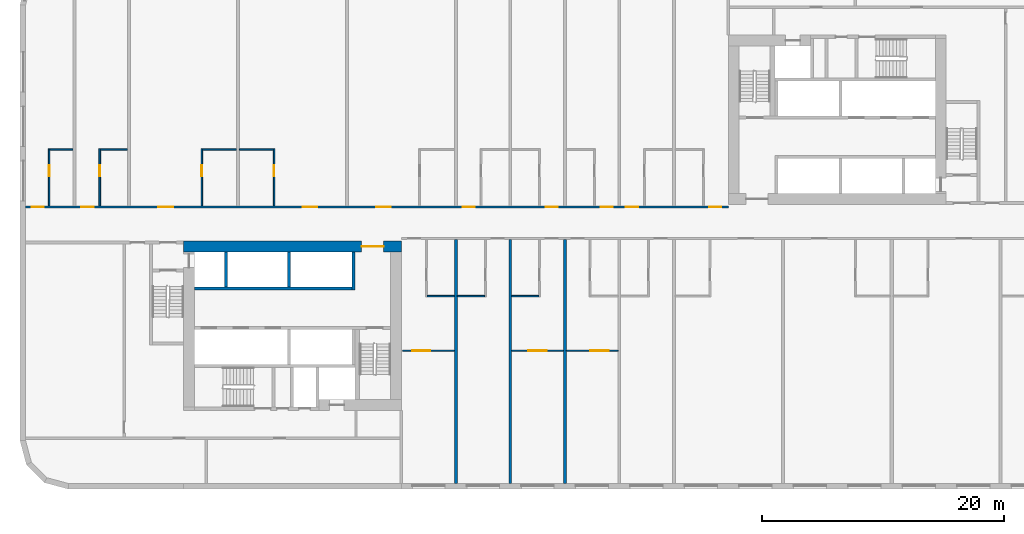
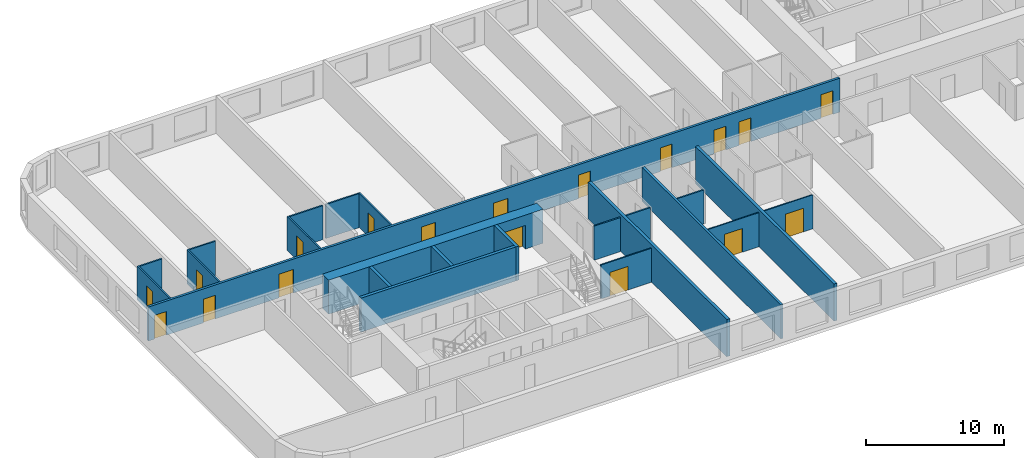
# One storey, part 3 of 12: 23 walls, 18 doors, 18 openings.
"""IFC4 building model written with IfcOpenShell, lengths in metres."""

from ifc_helpers import new_model, si_unit, direction, frame, frame_2d, origin, place, context, subcontext, project, spatial, rectangle, extrude, material, layer, layer_set, type_object, element, fill, save


model = new_model("IFC4")

# Units and contexts
model_context = context("Model", 3, precision=1e-05, world=origin(), true_north=direction((0.0, 1.0)))
body_context = subcontext(model_context, "Body", "Model", "MODEL_VIEW")
ifc_project = project(units=[si_unit("LENGTHUNIT", "METRE"), si_unit("AREAUNIT", "SQUARE_METRE"), si_unit("VOLUMEUNIT", "CUBIC_METRE"), si_unit("PLANEANGLEUNIT", "RADIAN"), si_unit("MASSUNIT", "GRAM", prefix="KILO")], contexts=[model_context])

# Site, building, storey
site_placement = place(None, origin())
site = spatial("IfcSite", under=ifc_project, at=site_placement, CompositionType="ELEMENT")
building_placement = place(site_placement, origin())
building = spatial("IfcBuilding", under=site, at=building_placement, Name="Kajstack Hotel Tower", CompositionType="ELEMENT")
storey_placement = place(building_placement, frame((0.0, 0.0, 93.0)))
storey = spatial("IfcBuildingStorey", under=building, at=storey_placement, Name="L19", CompositionType="ELEMENT", Elevation=93.0)

# Wall, opening, door
ifc_material_1 = material(Name="Concrete C60/75", Category="concrete")
ifc_layer_1 = layer(ifc_material_1, 0.89990234375)
ifc_layer_set_1 = layer_set([ifc_layer_1], Name="Core wall 900")
wall_type_1 = type_object("IfcWallType", Name="Core wall 900", PredefinedType="SHEAR", material=ifc_layer_set_1)
wall_1_placement = place(storey_placement, frame((-31.5, -1.949951171875, 0.0), z_axis=(0.0, 0.0, 1.0), x_axis=(1.0, 0.0, 0.0)))
wall_1 = element("IfcWall", 1, at=wall_1_placement, inside=storey, type_object=wall_type_1, Name="Core wall W RN", PredefinedType="SHEAR", context=body_context, shape_type="SweptSolid", body=[
    extrude(rectangle(XDim=18.0, YDim=0.89990234375, at=frame_2d((9.0, 0.0))), origin(), (0.0, 0.0, 1.0), 3.02001953125),
])
opening_1_placement = place(wall_1_placement, frame((14.72509765625, 0.0, 0.0)))
opening_1 = element("IfcOpeningElement", 2, at=opening_1_placement, cuts=wall_1, Name="Opening 19W06", PredefinedType="OPENING", context=body_context, shape_type="SweptSolid", body=[
    extrude(rectangle(XDim=1.800048828125, YDim=2.10009765625, at=frame_2d((0.89990234375, 1.050048828125))), frame((0.0, 0.4599609375, 0.0), z_axis=(0.0, -1.0, 0.0), x_axis=(1.0, 0.0, 0.0)), (0.0, 0.0, 1.0), 0.919921875),
])
ifc_material_2 = material(Name="Glazed steel frame, fire-rated glass", Category="steel")
door_type_1 = type_object("IfcDoorType", Name="Lobby double door 1800", OperationType="DOUBLE_DOOR_DOUBLE_SWING", PredefinedType="DOOR", material=ifc_material_2)
door_1_placement = place(opening_1_placement, origin())
door_1 = element("IfcDoor", 3, at=door_1_placement, inside=storey, type_object=door_type_1, Name="Door 19W06", OperationType="DOUBLE_DOOR_DOUBLE_SWING", OverallHeight=2.10009765625, OverallWidth=1.800048828125, PredefinedType="DOOR", context=body_context, shape_type="SweptSolid", body=[
    extrude(rectangle(XDim=1.800048828125, YDim=2.10009765625, at=frame_2d((0.89990234375, 1.050048828125))), frame((0.0, 0.02490234375, 0.0), z_axis=(0.0, -1.0, 0.0), x_axis=(1.0, 0.0, 0.0)), (0.0, 0.0, 1.0), 0.050048828125),
])
fill(opening_1, door_1)

# Wall, openings, doors
ifc_material_3 = material(Name="Gypsum board on steel studs, mineral wool", Category="steel")
ifc_layer_2 = layer(ifc_material_3, 0.199951171875)
ifc_layer_set_2 = layer_set([ifc_layer_2], Name="Corridor wall 200")
wall_type_2 = type_object("IfcWallType", Name="Corridor wall 200", PredefinedType="PARTITIONING", material=ifc_layer_set_2)
wall_2_placement = place(storey_placement, frame((-44.550048828125, 1.300048828125, 0.0), z_axis=(0.0, 0.0, 1.0), x_axis=(1.0, 0.0, 0.0)))
wall_2 = element("IfcWall", 4, at=wall_2_placement, inside=storey, type_object=wall_type_2, Name="G-wall-L19-003", PredefinedType="PARTITIONING", context=body_context, shape_type="SweptSolid", body=[
    extrude(rectangle(XDim=58.050048828125, YDim=0.199951171875, at=frame_2d((29.02490234375, 0.0))), origin(), (0.0, 0.0, 1.0), 3.02001953125),
])
opening_2_placement = place(wall_2_placement, frame((0.52490234375, 0.0, 0.0)))
opening_2 = element("IfcOpeningElement", 5, at=opening_2_placement, cuts=wall_2, Name="Opening 19001", PredefinedType="OPENING", context=body_context, shape_type="SweptSolid", body=[
    extrude(rectangle(XDim=1.0, YDim=2.10009765625, at=frame_2d((0.5, 1.050048828125))), frame((0.0, 0.10986328125, 0.0), z_axis=(0.0, -1.0, 0.0), x_axis=(1.0, 0.0, 0.0)), (0.0, 0.0, 1.0), 0.219970703125),
])
opening_3_placement = place(wall_2_placement, frame((4.625, 0.0, 0.0)))
opening_3 = element("IfcOpeningElement", 6, at=opening_3_placement, cuts=wall_2, Name="Opening 19003", PredefinedType="OPENING", context=body_context, shape_type="SweptSolid", body=[
    extrude(rectangle(XDim=1.0, YDim=2.10009765625, at=frame_2d((0.5, 1.050048828125))), frame((0.0, 0.10986328125, 0.0), z_axis=(0.0, -1.0, 0.0), x_axis=(1.0, 0.0, 0.0)), (0.0, 0.0, 1.0), 0.219970703125),
])
opening_4_placement = place(wall_2_placement, frame((10.987060546875, 0.0, 0.0)))
opening_4 = element("IfcOpeningElement", 7, at=opening_4_placement, cuts=wall_2, Name="Opening 19005", PredefinedType="OPENING", context=body_context, shape_type="SweptSolid", body=[
    extrude(rectangle(XDim=1.199951171875, YDim=2.10009765625, at=frame_2d((0.60009765625, 1.050048828125))), frame((0.0, 0.10986328125, 0.0), z_axis=(0.0, -1.0, 0.0), x_axis=(1.0, 0.0, 0.0)), (0.0, 0.0, 1.0), 0.219970703125),
])
opening_5_placement = place(wall_2_placement, frame((22.912109375, 0.0, 0.0)))
opening_5 = element("IfcOpeningElement", 8, at=opening_5_placement, cuts=wall_2, Name="Opening 19007", PredefinedType="OPENING", context=body_context, shape_type="SweptSolid", body=[
    extrude(rectangle(XDim=1.199951171875, YDim=2.10009765625, at=frame_2d((0.60009765625, 1.050048828125))), frame((0.0, 0.10986328125, 0.0), z_axis=(0.0, -1.0, 0.0), x_axis=(1.0, 0.0, 0.0)), (0.0, 0.0, 1.0), 0.219970703125),
])
opening_6_placement = place(wall_2_placement, frame((28.987060546875, 0.0, 0.0)))
opening_6 = element("IfcOpeningElement", 9, at=opening_6_placement, cuts=wall_2, Name="Opening 19009", PredefinedType="OPENING", context=body_context, shape_type="SweptSolid", body=[
    extrude(rectangle(XDim=1.199951171875, YDim=2.10009765625, at=frame_2d((0.60009765625, 1.050048828125))), frame((0.0, 0.10986328125, 0.0), z_axis=(0.0, -1.0, 0.0), x_axis=(1.0, 0.0, 0.0)), (0.0, 0.0, 1.0), 0.219970703125),
])
opening_7_placement = place(wall_2_placement, frame((36.125, 0.0, 0.0)))
opening_7 = element("IfcOpeningElement", 10, at=opening_7_placement, cuts=wall_2, Name="Opening 19011", PredefinedType="OPENING", context=body_context, shape_type="SweptSolid", body=[
    extrude(rectangle(XDim=1.0, YDim=2.10009765625, at=frame_2d((0.5, 1.050048828125))), frame((0.0, 0.10986328125, 0.0), z_axis=(0.0, -1.0, 0.0), x_axis=(1.0, 0.0, 0.0)), (0.0, 0.0, 1.0), 0.219970703125),
])
opening_8_placement = place(wall_2_placement, frame((42.97509765625, 0.0, 0.0)))
opening_8 = element("IfcOpeningElement", 11, at=opening_8_placement, cuts=wall_2, Name="Opening 19013", PredefinedType="OPENING", context=body_context, shape_type="SweptSolid", body=[
    extrude(rectangle(XDim=1.0, YDim=2.10009765625, at=frame_2d((0.5, 1.050048828125))), frame((0.0, 0.10986328125, 0.0), z_axis=(0.0, -1.0, 0.0), x_axis=(1.0, 0.0, 0.0)), (0.0, 0.0, 1.0), 0.219970703125),
])
opening_9_placement = place(wall_2_placement, frame((47.5, 0.0, 0.0)))
opening_9 = element("IfcOpeningElement", 12, at=opening_9_placement, cuts=wall_2, Name="Opening 19015", PredefinedType="OPENING", context=body_context, shape_type="SweptSolid", body=[
    extrude(rectangle(XDim=1.0, YDim=2.10009765625, at=frame_2d((0.5, 1.050048828125))), frame((0.0, 0.10986328125, 0.0), z_axis=(0.0, -1.0, 0.0), x_axis=(1.0, 0.0, 0.0)), (0.0, 0.0, 1.0), 0.219970703125),
])
opening_10_placement = place(wall_2_placement, frame((49.60009765625, 0.0, 0.0)))
opening_10 = element("IfcOpeningElement", 13, at=opening_10_placement, cuts=wall_2, Name="Opening 19017", PredefinedType="OPENING", context=body_context, shape_type="SweptSolid", body=[
    extrude(rectangle(XDim=1.0, YDim=2.10009765625, at=frame_2d((0.5, 1.050048828125))), frame((0.0, 0.10986328125, 0.0), z_axis=(0.0, -1.0, 0.0), x_axis=(1.0, 0.0, 0.0)), (0.0, 0.0, 1.0), 0.219970703125),
])
opening_11_placement = place(wall_2_placement, frame((56.47509765625, 0.0, 0.0)))
opening_11 = element("IfcOpeningElement", 14, at=opening_11_placement, cuts=wall_2, Name="Opening 19019", PredefinedType="OPENING", context=body_context, shape_type="SweptSolid", body=[
    extrude(rectangle(XDim=1.0, YDim=2.10009765625, at=frame_2d((0.5, 1.050048828125))), frame((0.0, 0.10986328125, 0.0), z_axis=(0.0, -1.0, 0.0), x_axis=(1.0, 0.0, 0.0)), (0.0, 0.0, 1.0), 0.219970703125),
])
ifc_material_4 = material(Name="Oak veneer on timber core, fire-rated leaf", Category="wood")
door_type_2 = type_object("IfcDoorType", Name="Flat entrance door 1000", OperationType="SINGLE_SWING_LEFT", PredefinedType="DOOR", material=ifc_material_4)
door_2_placement = place(opening_2_placement, origin())
door_2 = element("IfcDoor", 15, at=door_2_placement, inside=storey, type_object=door_type_2, Name="G-door-L19-01", OperationType="SINGLE_SWING_RIGHT", OverallHeight=2.10009765625, OverallWidth=1.0, PredefinedType="DOOR", context=body_context, shape_type="SweptSolid", body=[
    extrude(rectangle(XDim=1.0, YDim=2.10009765625, at=frame_2d((0.5, 1.050048828125))), frame((0.0, 0.02490234375, 0.0), z_axis=(0.0, -1.0, 0.0), x_axis=(1.0, 0.0, 0.0)), (0.0, 0.0, 1.0), 0.050048828125),
])
fill(opening_2, door_2)
door_3_placement = place(opening_3_placement, origin())
door_3 = element("IfcDoor", 16, at=door_3_placement, inside=storey, type_object=door_type_2, Name="G-door-L19-03", OperationType="SINGLE_SWING_RIGHT", OverallHeight=2.10009765625, OverallWidth=1.0, PredefinedType="DOOR", context=body_context, shape_type="SweptSolid", body=[
    extrude(rectangle(XDim=1.0, YDim=2.10009765625, at=frame_2d((0.5, 1.050048828125))), frame((0.0, 0.02490234375, 0.0), z_axis=(0.0, -1.0, 0.0), x_axis=(1.0, 0.0, 0.0)), (0.0, 0.0, 1.0), 0.050048828125),
])
fill(opening_3, door_3)
door_4_placement = place(opening_7_placement, origin())
door_4 = element("IfcDoor", 17, at=door_4_placement, inside=storey, type_object=door_type_2, Name="G-door-L19-11", OperationType="SINGLE_SWING_RIGHT", OverallHeight=2.10009765625, OverallWidth=1.0, PredefinedType="DOOR", context=body_context, shape_type="SweptSolid", body=[
    extrude(rectangle(XDim=1.0, YDim=2.10009765625, at=frame_2d((0.5, 1.050048828125))), frame((0.0, 0.02490234375, 0.0), z_axis=(0.0, -1.0, 0.0), x_axis=(1.0, 0.0, 0.0)), (0.0, 0.0, 1.0), 0.050048828125),
])
fill(opening_7, door_4)
door_5_placement = place(opening_8_placement, origin())
door_5 = element("IfcDoor", 18, at=door_5_placement, inside=storey, type_object=door_type_2, Name="G-door-L19-13", OperationType="SINGLE_SWING_LEFT", OverallHeight=2.10009765625, OverallWidth=1.0, PredefinedType="DOOR", context=body_context, shape_type="SweptSolid", body=[
    extrude(rectangle(XDim=1.0, YDim=2.10009765625, at=frame_2d((0.5, 1.050048828125))), frame((0.0, 0.02490234375, 0.0), z_axis=(0.0, -1.0, 0.0), x_axis=(1.0, 0.0, 0.0)), (0.0, 0.0, 1.0), 0.050048828125),
])
fill(opening_8, door_5)
door_6_placement = place(opening_9_placement, origin())
door_6 = element("IfcDoor", 19, at=door_6_placement, inside=storey, type_object=door_type_2, Name="G-door-L19-15", OperationType="SINGLE_SWING_RIGHT", OverallHeight=2.10009765625, OverallWidth=1.0, PredefinedType="DOOR", context=body_context, shape_type="SweptSolid", body=[
    extrude(rectangle(XDim=1.0, YDim=2.10009765625, at=frame_2d((0.5, 1.050048828125))), frame((0.0, 0.02490234375, 0.0), z_axis=(0.0, -1.0, 0.0), x_axis=(1.0, 0.0, 0.0)), (0.0, 0.0, 1.0), 0.050048828125),
])
fill(opening_9, door_6)
door_7_placement = place(opening_10_placement, origin())
door_7 = element("IfcDoor", 20, at=door_7_placement, inside=storey, type_object=door_type_2, Name="G-door-L19-17", OperationType="SINGLE_SWING_LEFT", OverallHeight=2.10009765625, OverallWidth=1.0, PredefinedType="DOOR", context=body_context, shape_type="SweptSolid", body=[
    extrude(rectangle(XDim=1.0, YDim=2.10009765625, at=frame_2d((0.5, 1.050048828125))), frame((0.0, 0.02490234375, 0.0), z_axis=(0.0, -1.0, 0.0), x_axis=(1.0, 0.0, 0.0)), (0.0, 0.0, 1.0), 0.050048828125),
])
fill(opening_10, door_7)
door_8_placement = place(opening_11_placement, origin())
door_8 = element("IfcDoor", 21, at=door_8_placement, inside=storey, type_object=door_type_2, Name="G-door-L19-19", OperationType="SINGLE_SWING_RIGHT", OverallHeight=2.10009765625, OverallWidth=1.0, PredefinedType="DOOR", context=body_context, shape_type="SweptSolid", body=[
    extrude(rectangle(XDim=1.0, YDim=2.10009765625, at=frame_2d((0.5, 1.050048828125))), frame((0.0, 0.02490234375, 0.0), z_axis=(0.0, -1.0, 0.0), x_axis=(1.0, 0.0, 0.0)), (0.0, 0.0, 1.0), 0.050048828125),
])
fill(opening_11, door_8)
door_type_3 = type_object("IfcDoorType", Name="Flat entrance door 1200", OperationType="SINGLE_SWING_LEFT", PredefinedType="DOOR", material=ifc_material_4)
door_9_placement = place(opening_4_placement, origin())
door_9 = element("IfcDoor", 22, at=door_9_placement, inside=storey, type_object=door_type_3, Name="G-door-L19-05", OperationType="SINGLE_SWING_RIGHT", OverallHeight=2.10009765625, OverallWidth=1.199951171875, PredefinedType="DOOR", context=body_context, shape_type="SweptSolid", body=[
    extrude(rectangle(XDim=1.199951171875, YDim=2.10009765625, at=frame_2d((0.60009765625, 1.050048828125))), frame((0.0, 0.02490234375, 0.0), z_axis=(0.0, -1.0, 0.0), x_axis=(1.0, 0.0, 0.0)), (0.0, 0.0, 1.0), 0.050048828125),
])
fill(opening_4, door_9)
door_10_placement = place(opening_5_placement, origin())
door_10 = element("IfcDoor", 23, at=door_10_placement, inside=storey, type_object=door_type_3, Name="G-door-L19-07", OperationType="SINGLE_SWING_LEFT", OverallHeight=2.10009765625, OverallWidth=1.199951171875, PredefinedType="DOOR", context=body_context, shape_type="SweptSolid", body=[
    extrude(rectangle(XDim=1.199951171875, YDim=2.10009765625, at=frame_2d((0.60009765625, 1.050048828125))), frame((0.0, 0.02490234375, 0.0), z_axis=(0.0, -1.0, 0.0), x_axis=(1.0, 0.0, 0.0)), (0.0, 0.0, 1.0), 0.050048828125),
])
fill(opening_5, door_10)
door_11_placement = place(opening_6_placement, origin())
door_11 = element("IfcDoor", 24, at=door_11_placement, inside=storey, type_object=door_type_3, Name="G-door-L19-09", OperationType="SINGLE_SWING_LEFT", OverallHeight=2.10009765625, OverallWidth=1.199951171875, PredefinedType="DOOR", context=body_context, shape_type="SweptSolid", body=[
    extrude(rectangle(XDim=1.199951171875, YDim=2.10009765625, at=frame_2d((0.60009765625, 1.050048828125))), frame((0.0, 0.02490234375, 0.0), z_axis=(0.0, -1.0, 0.0), x_axis=(1.0, 0.0, 0.0)), (0.0, 0.0, 1.0), 0.050048828125),
])
fill(opening_6, door_11)

# Wall
ifc_material_5 = material(Name="Twin-frame gypsum board on steel studs, mineral wool", Category="steel")
ifc_layer_3 = layer(ifc_material_5, 0.199951171875)
ifc_layer_set_3 = layer_set([ifc_layer_3], Name="Demising wall 200")
wall_type_3 = type_object("IfcWallType", Name="Demising wall 200", PredefinedType="PARTITIONING", material=ifc_layer_set_3)
wall_3_placement = place(storey_placement, frame((-4.5, -21.550048828125, 0.0), z_axis=(0.0, 0.0, 1.0), x_axis=(0.0, 1.0, 0.0)))
element("IfcWall", 25, at=wall_3_placement, inside=storey, type_object=wall_type_3, Name="G-wall-L19-030", PredefinedType="PARTITIONING", context=body_context, shape_type="SweptSolid", body=[
    extrude(rectangle(XDim=20.150146484375, YDim=0.199951171875, at=frame_2d((10.0751953125, 0.0))), origin(), (0.0, 0.0, 1.0), 3.02001953125),
])

# Wall, opening, door
ifc_material_6 = material(Name="Gypsum board and tiled backer on steel studs", Category="steel")
ifc_layer_4 = layer(ifc_material_6, 0.125)
ifc_layer_set_4 = layer_set([ifc_layer_4], Name="En-suite wall 125")
wall_type_4 = type_object("IfcWallType", Name="En-suite wall 125", PredefinedType="PARTITIONING", material=ifc_layer_set_4)
wall_4_placement = place(storey_placement, frame((-42.5869140625, 1.39990234375, 0.0), z_axis=(0.0, 0.0, 1.0), x_axis=(0.0, 1.0, 0.0)))
wall_4 = element("IfcWall", 26, at=wall_4_placement, inside=storey, type_object=wall_type_4, Name="G-wall-L19-004", PredefinedType="PARTITIONING", context=body_context, shape_type="SweptSolid", body=[
    extrude(rectangle(XDim=4.72509765625, YDim=0.125, at=frame_2d((2.362548828125, 0.0))), origin(), (0.0, 0.0, 1.0), 3.02001953125),
])
opening_12_placement = place(wall_4_placement, frame((2.449951171875, 0.0, 0.0)))
opening_12 = element("IfcOpeningElement", 27, at=opening_12_placement, cuts=wall_4, Name="Opening 19002", PredefinedType="OPENING", context=body_context, shape_type="SweptSolid", body=[
    extrude(rectangle(XDim=0.89990234375, YDim=2.10009765625, at=frame_2d((0.449951171875, 1.050048828125))), frame((0.0, 0.072509765625, 0.0), z_axis=(0.0, -1.0, 0.0), x_axis=(1.0, 0.0, 0.0)), (0.0, 0.0, 1.0), 0.14501953125),
])
ifc_material_7 = material(Name="Painted timber door leaf", Category="wood")
door_type_4 = type_object("IfcDoorType", Name="Room door 900", OperationType="SINGLE_SWING_LEFT", PredefinedType="DOOR", material=ifc_material_7)
door_12_placement = place(opening_12_placement, origin())
door_12 = element("IfcDoor", 28, at=door_12_placement, inside=storey, type_object=door_type_4, Name="G-door-L19-02", OperationType="SINGLE_SWING_LEFT", OverallHeight=2.10009765625, OverallWidth=0.89990234375, PredefinedType="DOOR", context=body_context, shape_type="SweptSolid", body=[
    extrude(rectangle(XDim=0.89990234375, YDim=2.10009765625, at=frame_2d((0.449951171875, 1.050048828125))), frame((0.0, 0.02490234375, 0.0), z_axis=(0.0, -1.0, 0.0), x_axis=(1.0, 0.0, 0.0)), (0.0, 0.0, 1.0), 0.050048828125),
])
fill(opening_12, door_12)

# Wall
wall_5_placement = place(storey_placement, frame((-42.52490234375, 6.06201171875, 0.0), z_axis=(0.0, 0.0, 1.0), x_axis=(1.0, 0.0, 0.0)))
element("IfcWall", 29, at=wall_5_placement, inside=storey, type_object=wall_type_4, Name="G-wall-L19-005", PredefinedType="PARTITIONING", context=body_context, shape_type="SweptSolid", body=[
    extrude(rectangle(XDim=1.89990234375, YDim=0.125, at=frame_2d((0.949951171875, 0.0))), origin(), (0.0, 0.0, 1.0), 3.02001953125),
])

# Wall, opening, door
wall_6_placement = place(storey_placement, frame((-38.4130859375, 1.39990234375, 0.0), z_axis=(0.0, 0.0, 1.0), x_axis=(0.0, 1.0, 0.0)))
wall_6 = element("IfcWall", 30, at=wall_6_placement, inside=storey, type_object=wall_type_4, Name="G-wall-L19-006", PredefinedType="PARTITIONING", context=body_context, shape_type="SweptSolid", body=[
    extrude(rectangle(XDim=4.72509765625, YDim=0.125, at=frame_2d((2.362548828125, 0.0))), origin(), (0.0, 0.0, 1.0), 3.02001953125),
])
opening_13_placement = place(wall_6_placement, frame((2.449951171875, 0.0, 0.0)))
opening_13 = element("IfcOpeningElement", 31, at=opening_13_placement, cuts=wall_6, Name="Opening 19004", PredefinedType="OPENING", context=body_context, shape_type="SweptSolid", body=[
    extrude(rectangle(XDim=0.89990234375, YDim=2.10009765625, at=frame_2d((0.449951171875, 1.050048828125))), frame((0.0, 0.072509765625, 0.0), z_axis=(0.0, -1.0, 0.0), x_axis=(1.0, 0.0, 0.0)), (0.0, 0.0, 1.0), 0.14501953125),
])
door_13_placement = place(opening_13_placement, origin())
door_13 = element("IfcDoor", 32, at=door_13_placement, inside=storey, type_object=door_type_4, Name="G-door-L19-04", OperationType="SINGLE_SWING_RIGHT", OverallHeight=2.10009765625, OverallWidth=0.89990234375, PredefinedType="DOOR", context=body_context, shape_type="SweptSolid", body=[
    extrude(rectangle(XDim=0.89990234375, YDim=2.10009765625, at=frame_2d((0.449951171875, 1.050048828125))), frame((0.0, 0.02490234375, 0.0), z_axis=(0.0, -1.0, 0.0), x_axis=(1.0, 0.0, 0.0)), (0.0, 0.0, 1.0), 0.050048828125),
])
fill(opening_13, door_13)

# Wall
wall_7_placement = place(storey_placement, frame((-38.35009765625, 6.06201171875, 0.0), z_axis=(0.0, 0.0, 1.0), x_axis=(1.0, 0.0, 0.0)))
element("IfcWall", 33, at=wall_7_placement, inside=storey, type_object=wall_type_4, Name="G-wall-L19-007", PredefinedType="PARTITIONING", context=body_context, shape_type="SweptSolid", body=[
    extrude(rectangle(XDim=2.22509765625, YDim=0.125, at=frame_2d((1.112548828125, 0.0))), origin(), (0.0, 0.0, 1.0), 3.02001953125),
])

# Wall, opening, door
wall_8_placement = place(storey_placement, frame((-29.988037109375, 1.39990234375, 0.0), z_axis=(0.0, 0.0, 1.0), x_axis=(0.0, 1.0, 0.0)))
wall_8 = element("IfcWall", 34, at=wall_8_placement, inside=storey, type_object=wall_type_4, Name="G-wall-L19-008", PredefinedType="PARTITIONING", context=body_context, shape_type="SweptSolid", body=[
    extrude(rectangle(XDim=4.72509765625, YDim=0.125, at=frame_2d((2.362548828125, 0.0))), origin(), (0.0, 0.0, 1.0), 3.02001953125),
])
opening_14_placement = place(wall_8_placement, frame((2.449951171875, 0.0, 0.0)))
opening_14 = element("IfcOpeningElement", 35, at=opening_14_placement, cuts=wall_8, Name="Opening 19006", PredefinedType="OPENING", context=body_context, shape_type="SweptSolid", body=[
    extrude(rectangle(XDim=0.89990234375, YDim=2.10009765625, at=frame_2d((0.449951171875, 1.050048828125))), frame((0.0, 0.072509765625, 0.0), z_axis=(0.0, -1.0, 0.0), x_axis=(1.0, 0.0, 0.0)), (0.0, 0.0, 1.0), 0.14501953125),
])
door_14_placement = place(opening_14_placement, origin())
door_14 = element("IfcDoor", 36, at=door_14_placement, inside=storey, type_object=door_type_4, Name="G-door-L19-06", OperationType="SINGLE_SWING_RIGHT", OverallHeight=2.10009765625, OverallWidth=0.89990234375, PredefinedType="DOOR", context=body_context, shape_type="SweptSolid", body=[
    extrude(rectangle(XDim=0.89990234375, YDim=2.10009765625, at=frame_2d((0.449951171875, 1.050048828125))), frame((0.0, 0.02490234375, 0.0), z_axis=(0.0, -1.0, 0.0), x_axis=(1.0, 0.0, 0.0)), (0.0, 0.0, 1.0), 0.050048828125),
])
fill(opening_14, door_14)

# Wall
wall_9_placement = place(storey_placement, frame((-29.925048828125, 6.06201171875, 0.0), z_axis=(0.0, 0.0, 1.0), x_axis=(1.0, 0.0, 0.0)))
element("IfcWall", 37, at=wall_9_placement, inside=storey, type_object=wall_type_4, Name="G-wall-L19-009", PredefinedType="PARTITIONING", context=body_context, shape_type="SweptSolid", body=[
    extrude(rectangle(XDim=2.800048828125, YDim=0.125, at=frame_2d((1.39990234375, 0.0))), origin(), (0.0, 0.0, 1.0), 3.02001953125),
])

# Wall, opening, door
wall_10_placement = place(storey_placement, frame((-24.011962890625, 1.39990234375, 0.0), z_axis=(0.0, 0.0, 1.0), x_axis=(0.0, 1.0, 0.0)))
wall_10 = element("IfcWall", 38, at=wall_10_placement, inside=storey, type_object=wall_type_4, Name="G-wall-L19-010", PredefinedType="PARTITIONING", context=body_context, shape_type="SweptSolid", body=[
    extrude(rectangle(XDim=4.72509765625, YDim=0.125, at=frame_2d((2.362548828125, 0.0))), origin(), (0.0, 0.0, 1.0), 3.02001953125),
])
opening_15_placement = place(wall_10_placement, frame((2.449951171875, 0.0, 0.0)))
opening_15 = element("IfcOpeningElement", 39, at=opening_15_placement, cuts=wall_10, Name="Opening 19008", PredefinedType="OPENING", context=body_context, shape_type="SweptSolid", body=[
    extrude(rectangle(XDim=0.89990234375, YDim=2.10009765625, at=frame_2d((0.449951171875, 1.050048828125))), frame((0.0, 0.072509765625, 0.0), z_axis=(0.0, -1.0, 0.0), x_axis=(1.0, 0.0, 0.0)), (0.0, 0.0, 1.0), 0.14501953125),
])
door_15_placement = place(opening_15_placement, origin())
door_15 = element("IfcDoor", 40, at=door_15_placement, inside=storey, type_object=door_type_4, Name="G-door-L19-08", OperationType="SINGLE_SWING_RIGHT", OverallHeight=2.10009765625, OverallWidth=0.89990234375, PredefinedType="DOOR", context=body_context, shape_type="SweptSolid", body=[
    extrude(rectangle(XDim=0.89990234375, YDim=2.10009765625, at=frame_2d((0.449951171875, 1.050048828125))), frame((0.0, 0.02490234375, 0.0), z_axis=(0.0, -1.0, 0.0), x_axis=(1.0, 0.0, 0.0)), (0.0, 0.0, 1.0), 0.050048828125),
])
fill(opening_15, door_15)

# Walls
wall_11_placement = place(storey_placement, frame((-26.875, 6.06201171875, 0.0), z_axis=(0.0, 0.0, 1.0), x_axis=(1.0, 0.0, 0.0)))
element("IfcWall", 41, at=wall_11_placement, inside=storey, type_object=wall_type_4, Name="G-wall-L19-011", PredefinedType="PARTITIONING", context=body_context, shape_type="SweptSolid", body=[
    extrude(rectangle(XDim=2.800048828125, YDim=0.125, at=frame_2d((1.39990234375, 0.0))), origin(), (0.0, 0.0, 1.0), 3.02001953125),
])
for number, where, z_axis, x_axis, name in (
    (42, (-11.375, -6.06201171875, 0.0), (0.0, 0.0, 1.0), (1.0, 0.0, 0.0), "G-wall-L19-028"),
    (43, (-8.875, -6.06201171875, 0.0), (0.0, 0.0, 1.0), (1.0, 0.0, 0.0), "G-wall-L19-032"),
    (44, (-4.39990234375, -6.06201171875, 0.0), (0.0, 0.0, 1.0), (1.0, 0.0, 0.0), "G-wall-L19-034"),
):
    element("IfcWall", number, at=place(storey_placement, frame(where, z_axis=z_axis, x_axis=x_axis)), inside=storey, type_object=wall_type_4, Name=name, PredefinedType="PARTITIONING", context=body_context, shape_type="SweptSolid", body=[
        extrude(rectangle(XDim=2.25, YDim=0.125, at=frame_2d((1.125, 0.0))), origin(), (0.0, 0.0, 1.0), 3.02001953125),
    ])
ifc_material_8 = material(Name="Concrete C50/60", Category="concrete")
ifc_layer_5 = layer(ifc_material_8, 0.300048828125)
ifc_layer_set_5 = layer_set([ifc_layer_5], Name="Hoistway divider wall 300")
wall_type_5 = type_object("IfcWallType", Name="Hoistway divider wall 300", PredefinedType="SHEAR", material=ifc_layer_set_5)
wall_12_placement = place(storey_placement, frame((-22.77490234375, -5.300048828125, 0.0), z_axis=(0.0, 0.0, 1.0), x_axis=(0.0, 1.0, 0.0)))
element("IfcWall", 45, at=wall_12_placement, inside=storey, type_object=wall_type_5, Name="Core wall W AP2", PredefinedType="SHEAR", context=body_context, shape_type="SweptSolid", body=[
    extrude(rectangle(XDim=2.900146484375, YDim=0.25, at=frame_2d((1.4501953125, 0.0))), origin(), (0.0, 0.0, 1.0), 3.02001953125),
])

# Wall, opening, door
ifc_material_9 = material(Name="Gypsum board on steel studs", Category="steel")
ifc_layer_6 = layer(ifc_material_9, 0.10009765625)
ifc_layer_set_6 = layer_set([ifc_layer_6], Name="Partition 100")
wall_type_6 = type_object("IfcWallType", Name="Partition 100", PredefinedType="PARTITIONING", material=ifc_layer_set_6)
wall_13_placement = place(storey_placement, frame((-13.39990234375, -10.574951171875, 0.0), z_axis=(0.0, 0.0, 1.0), x_axis=(1.0, 0.0, 0.0)))
wall_13 = element("IfcWall", 46, at=wall_13_placement, inside=storey, type_object=wall_type_6, Name="G-wall-L19-029", PredefinedType="PARTITIONING", context=body_context, shape_type="SweptSolid", body=[
    extrude(rectangle(XDim=4.27490234375, YDim=0.10009765625, at=frame_2d((2.137451171875, 0.0))), origin(), (0.0, 0.0, 1.0), 3.02001953125),
])
opening_16_placement = place(wall_13_placement, frame((0.7880859375, 0.0, 0.0)))
opening_16 = element("IfcOpeningElement", 47, at=opening_16_placement, cuts=wall_13, Name="Opening 19023", PredefinedType="OPENING", context=body_context, shape_type="SweptSolid", body=[
    extrude(rectangle(XDim=1.5, YDim=2.10009765625, at=frame_2d((0.75, 1.050048828125))), frame((0.0, 0.06005859375, 0.0), z_axis=(0.0, -1.0, 0.0), x_axis=(1.0, 0.0, 0.0)), (0.0, 0.0, 1.0), 0.1201171875),
])
ifc_material_10 = material(Name="Painted timber door leaves, glazed panels", Category="wood")
door_type_5 = type_object("IfcDoorType", Name="Double door 1500", OperationType="SINGLE_SWING_LEFT", PredefinedType="DOOR", material=ifc_material_10)
door_16_placement = place(opening_16_placement, origin())
door_16 = element("IfcDoor", 48, at=door_16_placement, inside=storey, type_object=door_type_5, Name="G-door-L19-23", OperationType="SINGLE_SWING_LEFT", OverallHeight=2.10009765625, OverallWidth=1.5, PredefinedType="DOOR", context=body_context, shape_type="SweptSolid", body=[
    extrude(rectangle(XDim=1.5, YDim=2.10009765625, at=frame_2d((0.75, 1.050048828125))), frame((0.0, 0.02490234375, 0.0), z_axis=(0.0, -1.0, 0.0), x_axis=(1.0, 0.0, 0.0)), (0.0, 0.0, 1.0), 0.050048828125),
])
fill(opening_16, door_16)

wall_14_placement = place(storey_placement, frame((-4.39990234375, -10.574951171875, 0.0), z_axis=(0.0, 0.0, 1.0), x_axis=(1.0, 0.0, 0.0)))
wall_14 = element("IfcWall", 49, at=wall_14_placement, inside=storey, type_object=wall_type_6, Name="G-wall-L19-035", PredefinedType="PARTITIONING", context=body_context, shape_type="SweptSolid", body=[
    extrude(rectangle(XDim=4.27490234375, YDim=0.10009765625, at=frame_2d((2.137451171875, 0.0))), origin(), (0.0, 0.0, 1.0), 3.02001953125),
])
opening_17_placement = place(wall_14_placement, frame((1.387939453125, 0.0, 0.0)))
opening_17 = element("IfcOpeningElement", 50, at=opening_17_placement, cuts=wall_14, Name="Opening 19028", PredefinedType="OPENING", context=body_context, shape_type="SweptSolid", body=[
    extrude(rectangle(XDim=1.5, YDim=2.10009765625, at=frame_2d((0.75, 1.050048828125))), frame((0.0, 0.06005859375, 0.0), z_axis=(0.0, -1.0, 0.0), x_axis=(1.0, 0.0, 0.0)), (0.0, 0.0, 1.0), 0.1201171875),
])
door_17_placement = place(opening_17_placement, origin())
door_17 = element("IfcDoor", 51, at=door_17_placement, inside=storey, type_object=door_type_5, Name="G-door-L19-28", OperationType="SINGLE_SWING_RIGHT", OverallHeight=2.10009765625, OverallWidth=1.5, PredefinedType="DOOR", context=body_context, shape_type="SweptSolid", body=[
    extrude(rectangle(XDim=1.5, YDim=2.10009765625, at=frame_2d((0.75, 1.050048828125))), frame((0.0, 0.02490234375, 0.0), z_axis=(0.0, -1.0, 0.0), x_axis=(1.0, 0.0, 0.0)), (0.0, 0.0, 1.0), 0.050048828125),
])
fill(opening_17, door_17)

wall_15_placement = place(storey_placement, frame((0.125, -10.574951171875, 0.0), z_axis=(0.0, 0.0, 1.0), x_axis=(1.0, 0.0, 0.0)))
wall_15 = element("IfcWall", 52, at=wall_15_placement, inside=storey, type_object=wall_type_6, Name="G-wall-L19-039", PredefinedType="PARTITIONING", context=body_context, shape_type="SweptSolid", body=[
    extrude(rectangle(XDim=4.27490234375, YDim=0.10009765625, at=frame_2d((2.137451171875, 0.0))), origin(), (0.0, 0.0, 1.0), 3.02001953125),
])
opening_18_placement = place(wall_15_placement, frame((1.988037109375, 0.0, 0.0)))
opening_18 = element("IfcOpeningElement", 53, at=opening_18_placement, cuts=wall_15, Name="Opening 19031", PredefinedType="OPENING", context=body_context, shape_type="SweptSolid", body=[
    extrude(rectangle(XDim=1.5, YDim=2.10009765625, at=frame_2d((0.75, 1.050048828125))), frame((0.0, 0.06005859375, 0.0), z_axis=(0.0, -1.0, 0.0), x_axis=(1.0, 0.0, 0.0)), (0.0, 0.0, 1.0), 0.1201171875),
])
door_18_placement = place(opening_18_placement, origin())
door_18 = element("IfcDoor", 54, at=door_18_placement, inside=storey, type_object=door_type_5, Name="G-door-L19-31", OperationType="SINGLE_SWING_LEFT", OverallHeight=2.10009765625, OverallWidth=1.5, PredefinedType="DOOR", context=body_context, shape_type="SweptSolid", body=[
    extrude(rectangle(XDim=1.5, YDim=2.10009765625, at=frame_2d((0.75, 1.050048828125))), frame((0.0, 0.02490234375, 0.0), z_axis=(0.0, -1.0, 0.0), x_axis=(1.0, 0.0, 0.0)), (0.0, 0.0, 1.0), 0.050048828125),
])
fill(opening_18, door_18)

# Walls
ifc_layer_7 = layer(ifc_material_1, 0.25)
ifc_layer_set_7 = layer_set([ifc_layer_7], Name="RC cross wall 250 C60/75")
wall_type_7 = type_object("IfcWallType", Name="RC cross wall 250 C60/75", PredefinedType="SHEAR", material=ifc_layer_set_7)
for number, where, z_axis, x_axis, name in (
    (55, (-9.0, -21.5400390625, 0.0), (0.0, 0.0, 1.0), (0.0, 1.0, 0.0), "S-wall-L19-05"),
    (56, (0.0, -21.5400390625, 0.0), (0.0, 0.0, 1.0), (0.0, 1.0, 0.0), "S-wall-L19-07"),
):
    element("IfcWall", number, at=place(storey_placement, frame(where, z_axis=z_axis, x_axis=x_axis)), inside=storey, type_object=wall_type_7, Name=name, PredefinedType="SHEAR", context=body_context, shape_type="SweptSolid", body=[
        extrude(rectangle(XDim=20.14013671875, YDim=0.25, at=frame_2d((10.070068359375, 0.0))), origin(), (0.0, 0.0, 1.0), 3.300048828125),
    ])
ifc_layer_8 = layer(ifc_material_8, 0.25)
ifc_layer_set_8 = layer_set([ifc_layer_8], Name="Shaft wall 250")
wall_type_8 = type_object("IfcWallType", Name="Shaft wall 250", PredefinedType="SHEAR", material=ifc_layer_set_8)
wall_16_placement = place(storey_placement, frame((-30.60009765625, -5.425048828125, 0.0), z_axis=(0.0, 0.0, 1.0), x_axis=(1.0, 0.0, 0.0)))
element("IfcWall", 57, at=wall_16_placement, inside=storey, type_object=wall_type_8, Name="Core wall W FA", PredefinedType="SHEAR", context=body_context, shape_type="SweptSolid", body=[
    extrude(rectangle(XDim=13.0, YDim=0.25, at=frame_2d((6.5, 0.0))), origin(), (0.0, 0.0, 1.0), 3.02001953125),
])
wall_17_placement = place(storey_placement, frame((-17.47509765625, -5.550048828125, 0.0), z_axis=(0.0, 0.0, 1.0), x_axis=(0.0, 1.0, 0.0)))
element("IfcWall", 58, at=wall_17_placement, inside=storey, type_object=wall_type_8, Name="Core wall W AE", PredefinedType="SHEAR", context=body_context, shape_type="SweptSolid", body=[
    extrude(rectangle(XDim=3.150146484375, YDim=0.25, at=frame_2d((1.5751953125, 0.0))), origin(), (0.0, 0.0, 1.0), 3.02001953125),
])
wall_18_placement = place(storey_placement, frame((-27.97509765625, -5.300048828125, 0.0), z_axis=(0.0, 0.0, 1.0), x_axis=(0.0, 1.0, 0.0)))
element("IfcWall", 59, at=wall_18_placement, inside=storey, type_object=wall_type_8, Name="Core wall W AP0", PredefinedType="SHEAR", context=body_context, shape_type="SweptSolid", body=[
    extrude(rectangle(XDim=2.900146484375, YDim=0.25, at=frame_2d((1.4501953125, 0.0))), origin(), (0.0, 0.0, 1.0), 3.02001953125),
])

save(model, "model.ifc")
